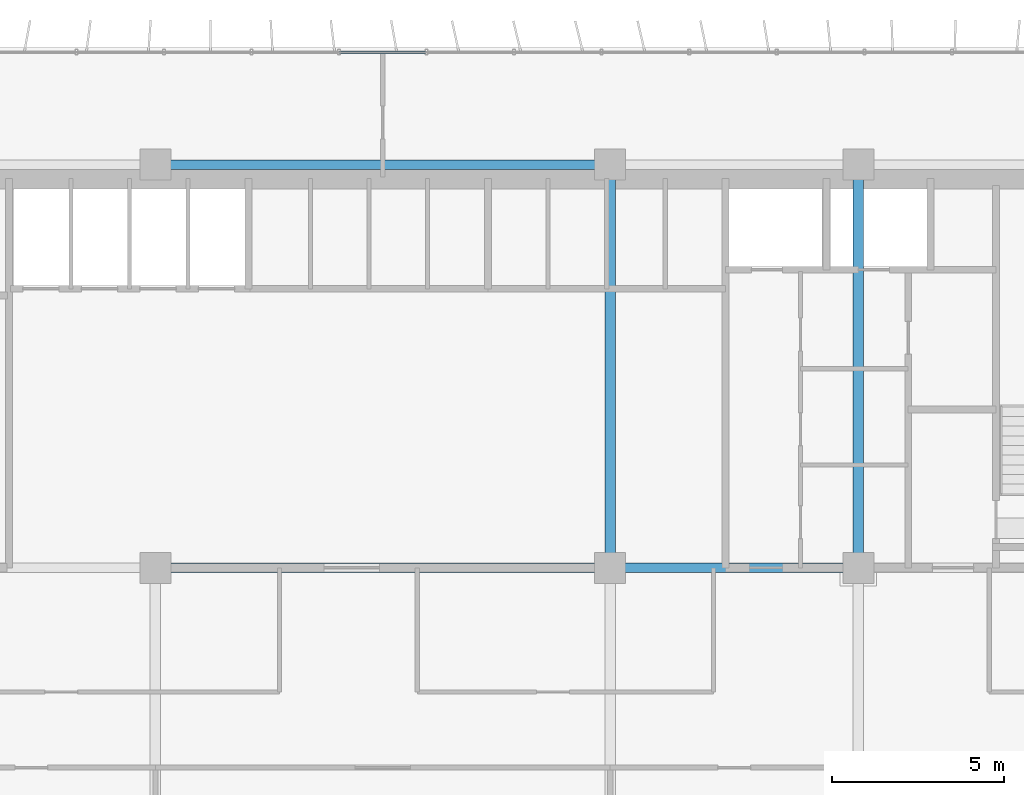
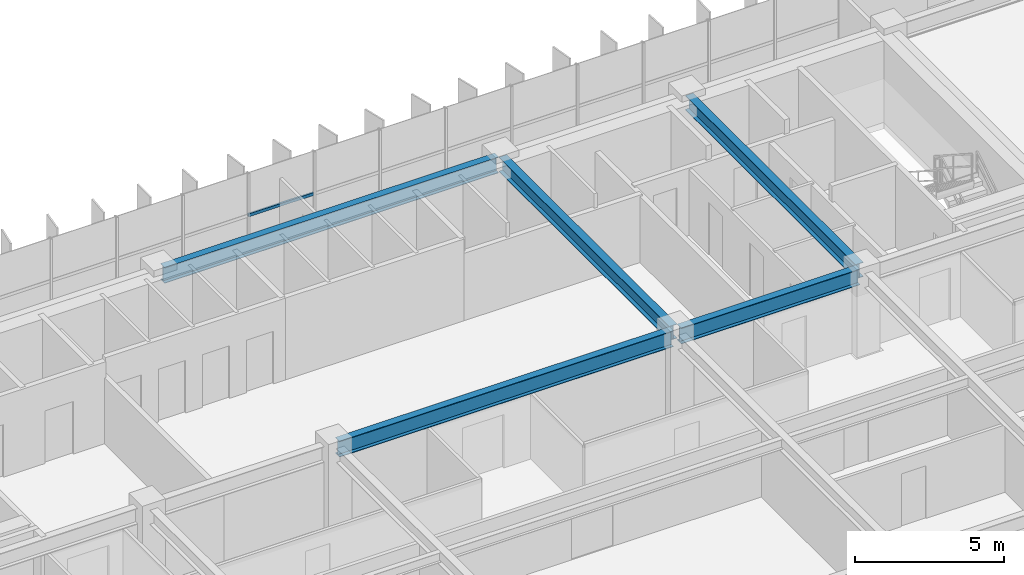
# One storey, part 9 of 21: 5 beams, 1 member, 1 element without a shape of its own.
"""IFC4 building model written with IfcOpenShell, lengths in metres."""

from ifc_helpers import new_model, si_unit, direction, frame, origin, origin_2d, place, context, subcontext, project, spatial, hollow_rectangle, i_section, extrude, source, transform, mapped, material, material_profile, profile_set, type_object, element, aggregate, save


model = new_model("IFC4")

# Units and contexts
model_context = context("Model", 3, precision=1e-05, world=origin(), true_north=direction((0.0, 1.0)))
body_context = subcontext(model_context, "Body", "Model", "MODEL_VIEW")
ifc_project = project(units=[si_unit("LENGTHUNIT", "METRE"), si_unit("AREAUNIT", "SQUARE_METRE"), si_unit("VOLUMEUNIT", "CUBIC_METRE"), si_unit("PLANEANGLEUNIT", "RADIAN"), si_unit("MASSUNIT", "GRAM", prefix="KILO")], contexts=[model_context])

# Site, building, storey
site_placement = place(None, origin())
site = spatial("IfcSite", under=ifc_project, at=site_placement, CompositionType="ELEMENT")
building_placement = place(site_placement, origin())
building = spatial("IfcBuilding", under=site, at=building_placement, Name="Trelvane Seafront Commons", CompositionType="ELEMENT")
storey_placement = place(building_placement, frame((0.0, 0.0, 34.300048828125)))
storey = spatial("IfcBuildingStorey", under=building, at=storey_placement, Name="L08", CompositionType="ELEMENT", Elevation=34.300048828125)

# Beams
ifc_material_1 = material(Name="Steel SM355 (S355)", Category="steel")
ifc_material_profile_1 = material_profile(ifc_material_1, i_section(OverallWidth=0.280029296875, OverallDepth=0.64990234375, WebThickness=0.012939453125, FlangeThickness=0.02197265625, at=origin_2d()), Name="H-650x280x13x22")
ifc_profile_set_1 = profile_set([ifc_material_profile_1], Name="Steel SM355 (S355)")
beam_type_1 = type_object("IfcBeamType", Name="STR-BM-H650", PredefinedType="BEAM", material=ifc_profile_set_1)
shared_shape_1 = source(origin(), body_context, "Body", "SweptSolid", [
    extrude(i_section(OverallWidth=0.280029296875, OverallDepth=0.64990234375, WebThickness=0.012939453125, FlangeThickness=0.02197265625, at=origin_2d()), origin(), (0.0, 0.0, 1.0), 12.89990234375),
])
for number, where, z_axis, x_axis, name in (
    (1, (30.75, 33.39990234375, 3.014892578125), (1.0, 0.0, 0.0), (0.0, 1.0, 0.0), "L08 Primary Girder G-23"),
    (2, (30.75, 45.10009765625, 3.014892578125), (1.0, 0.0, 0.0), (0.0, 1.0, 0.0), "L08 Primary Girder G-32"),
):
    element("IfcBeam", number, at=place(storey_placement, frame(where, z_axis=z_axis, x_axis=x_axis)), inside=storey, type_object=beam_type_1, Name=name, PredefinedType="BEAM", context=body_context, shape_type="MappedRepresentation", body=[
        mapped(shared_shape_1, transform((0.0, 0.0, 0.0), x_axis=(1.0, 0.0, 0.0), y_axis=(0.0, 1.0, 0.0), z_axis=(0.0, 0.0, 1.0), scale=1.0)),
    ])
shared_shape_2 = source(origin(), body_context, "Body", "SweptSolid", [
    extrude(i_section(OverallWidth=0.280029296875, OverallDepth=0.64990234375, WebThickness=0.012939453125, FlangeThickness=0.02197265625, at=origin_2d()), origin(), (0.0, 0.0, 1.0), 6.900146484375),
])
beam_placement = place(storey_placement, frame((43.949951171875, 33.39990234375, 3.014892578125), z_axis=(1.0, 0.0, 0.0), x_axis=(0.0, 1.0, 0.0)))
element("IfcBeam", 3, at=beam_placement, inside=storey, type_object=beam_type_1, Name="L08 Primary Girder G-24", PredefinedType="BEAM", context=body_context, shape_type="MappedRepresentation", body=[
    mapped(shared_shape_2, transform((0.0, 0.0, 0.0), x_axis=(1.0, 0.0, 0.0), y_axis=(0.0, 1.0, 0.0), z_axis=(0.0, 0.0, 1.0), scale=1.0)),
])
ifc_material_profile_2 = material_profile(ifc_material_1, i_section(OverallWidth=0.300048828125, OverallDepth=0.587890625, WebThickness=0.011962890625, FlangeThickness=0.02001953125, at=origin_2d()), Name="H-588x300x12x20")
ifc_profile_set_2 = profile_set([ifc_material_profile_2], Name="Steel SM355 (S355)")
beam_type_2 = type_object("IfcBeamType", Name="STR-BM-H588", PredefinedType="BEAM", material=ifc_profile_set_2)
shared_shape_3 = source(origin(), body_context, "Body", "SweptSolid", [
    extrude(i_section(OverallWidth=0.300048828125, OverallDepth=0.587890625, WebThickness=0.011962890625, FlangeThickness=0.02001953125, at=origin_2d()), origin(), (0.0, 0.0, 1.0), 11.39990234375),
])
for number, where, z_axis, x_axis, name in (
    (4, (43.800048828125, 33.550048828125, 3.0458984375), (0.0, 1.0, 0.0), (-1.0, 0.0, 0.0), "L08 Primary Girder G-54"),
    (5, (51.0, 33.550048828125, 3.0458984375), (0.0, 1.0, 0.0), (-1.0, 0.0, 0.0), "L08 Primary Girder G-57"),
):
    element("IfcBeam", number, at=place(storey_placement, frame(where, z_axis=z_axis, x_axis=x_axis)), inside=storey, type_object=beam_type_2, Name=name, PredefinedType="BEAM", context=body_context, shape_type="MappedRepresentation", body=[
        mapped(shared_shape_3, transform((0.0, 0.0, 0.0), x_axis=(1.0, 0.0, 0.0), y_axis=(0.0, 1.0, 0.0), z_axis=(0.0, 0.0, 1.0), scale=1.0)),
    ])

# Curtain wall, member
ifc_material_2 = material(Name="Anodised pale-silver aluminium", Category="aluminium")
curtain_wall_type = type_object("IfcCurtainWallType", Name="ARCH-CW2-LOWTOWER", PredefinedType="NOTDEFINED", material=ifc_material_2)
curtain_wall_placement = place(storey_placement, origin())
curtain_wall = element("IfcCurtainWall", 6, at=curtain_wall_placement, inside=storey, type_object=curtain_wall_type, Name="CW-L08-0032", PredefinedType="NOTDEFINED")
ifc_material_profile_3 = material_profile(ifc_material_2, hollow_rectangle(XDim=0.070068359375, YDim=0.1201171875, WallThickness=0.00390625, at=origin_2d()), Name="TRAN-70x120x4")
ifc_profile_set_3 = profile_set([ifc_material_profile_3], Name="Anodised pale-silver aluminium")
member_type = type_object("IfcMemberType", Name="ARCH-CW-TRAN-120", PredefinedType="USERDEFINED", material=ifc_profile_set_3)
shared_shape_4 = source(origin(), body_context, "Body", "SweptSolid", [
    extrude(hollow_rectangle(XDim=0.070068359375, YDim=0.1201171875, WallThickness=0.00390625, at=origin_2d()), origin(), (0.0, 0.0, 1.0), 2.51708984375),
])
member_placement = place(storey_placement, frame((35.94140625, 48.3701171875, 1.60302734375), z_axis=(1.0, 0.0, 0.0), x_axis=(0.0, 1.0, 0.0)))
member = element("IfcMember", 7, at=member_placement, type_object=member_type, Name="CW-L08-0032-T08", ObjectType="TRANSOM", PredefinedType="USERDEFINED", context=body_context, shape_type="MappedRepresentation", body=[
    mapped(shared_shape_4, transform((0.0, 0.0, 0.0), x_axis=(1.0, 0.0, 0.0), y_axis=(0.0, 1.0, 0.0), z_axis=(0.0, 0.0, 1.0), scale=1.0)),
])
aggregate(curtain_wall, [member])

save(model, "model.ifc")
